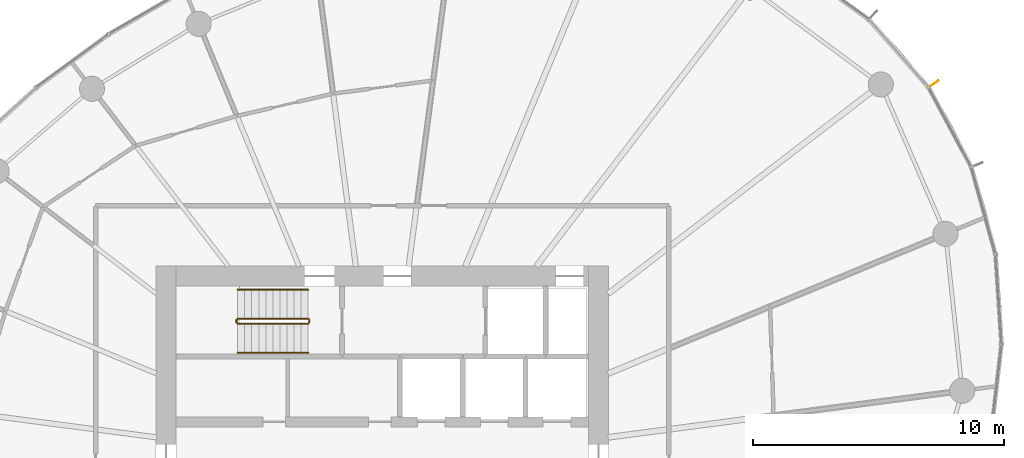
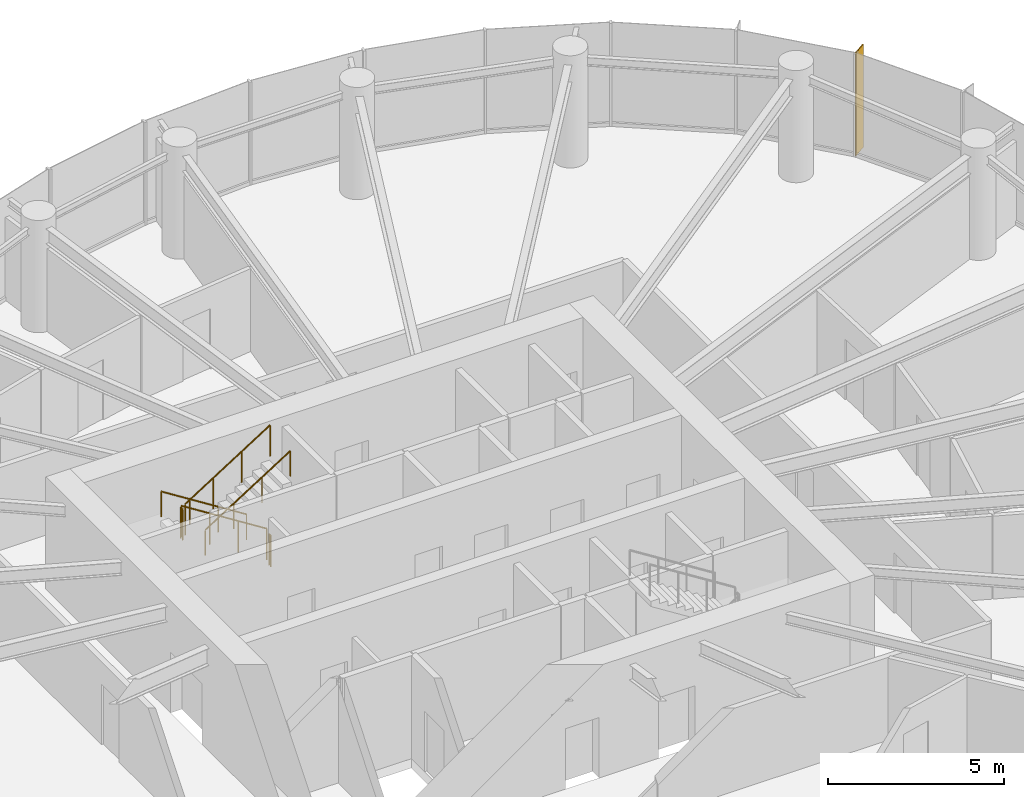
# One storey, part 13 of 14: 6 railings, 1 shading device.
"""IFC4 building model written with IfcOpenShell, lengths in metres."""

import ifcopenshell
import ifcopenshell.guid

model = None  # the IFC model being written
_history = None  # IfcOwnerHistory: only IFC2X3 demands one
_inside = {}  # id of a spatial element -> (the spatial element, [elements in it])
_under = {}  # id of a project, library or spatial element -> (it, [spatial elements below it])
_declared = {}  # id of a project -> (the project, [libraries it declares])
_typed = {}  # id of a type object -> (the type object, [elements of that type])
_made_of = {}  # id of a material, layer set ... -> (it, [elements and type objects made of it])


def new_model(schema):
    """Start an empty IFC model of exactly this schema.

    Asked for "IFC4X3", IfcOpenShell would pick the latest addendum, in which some entities
    have other attributes; the version numbers below select the first issue.
    IFC2X3 requires an IfcOwnerHistory on every rooted entity: one is made here for all.
    """
    global model, _history
    if schema == "IFC4X3":
        model = ifcopenshell.file(schema_version=(4, 3, 0, 0))
    else:
        model = ifcopenshell.file(schema=schema)
    _inside.clear()
    _under.clear()
    _declared.clear()
    _typed.clear()
    _made_of.clear()
    _history = None
    if model.schema == "IFC2X3":
        org = make("IfcOrganization", Name="unknown")
        user = make(
            "IfcPersonAndOrganization",
            ThePerson=make("IfcPerson", FamilyName="unknown"),
            TheOrganization=org,
        )
        app = make(
            "IfcApplication",
            ApplicationDeveloper=org,
            Version="unknown",
            ApplicationFullName="unknown",
            ApplicationIdentifier="unknown",
        )
        _history = make(
            "IfcOwnerHistory",
            OwningUser=user,
            OwningApplication=app,
            ChangeAction="ADDED",
            CreationDate=0,
        )
    return model


def make(cls, **values):
    """One entity of the class cls with the attributes given. An attribute that is None is left unset."""
    return model.create_entity(
        cls, **{name: value for name, value in values.items() if value is not None}
    )


def rooted(cls, **values):
    """An entity with a GlobalId (a new one), such as an element, a storey or a relation."""
    return make(cls, GlobalId=ifcopenshell.guid.new(), OwnerHistory=_history, **values)


def si_unit(unit_type, name, prefix=None):
    """IfcSIUnit, for example si_unit("LENGTHUNIT", "METRE", prefix="MILLI")."""
    return make("IfcSIUnit", UnitType=unit_type, Prefix=prefix, Name=name)


def assignment(units):
    """IfcUnitAssignment: the units of a project."""
    return None if units is None else make("IfcUnitAssignment", Units=units)


def point(xyz):
    """IfcCartesianPoint."""
    return None if xyz is None else make("IfcCartesianPoint", Coordinates=xyz)


def direction(xyz):
    """IfcDirection."""
    return None if xyz is None else make("IfcDirection", DirectionRatios=xyz)


def frame(location, z_axis=None, x_axis=None):
    """IfcAxis2Placement3D, a coordinate frame: its origin and axes. An axis left out is left unset."""
    return make(
        "IfcAxis2Placement3D",
        Location=point(location),
        Axis=direction(z_axis),
        RefDirection=direction(x_axis),
    )


def frame_2d(location, x_axis=None):
    """IfcAxis2Placement2D, a coordinate frame in the plane: its origin and x axis."""
    return make(
        "IfcAxis2Placement2D", Location=point(location), RefDirection=direction(x_axis)
    )


def origin():
    """The frame at (0, 0, 0) with its axes left unset."""
    return frame((0.0, 0.0, 0.0))


def origin_2d():
    """The frame at (0, 0) in the plane with its x axis left unset."""
    return frame_2d((0.0, 0.0))


def place(relative_to, where):
    """IfcLocalPlacement: puts the frame where relative to a parent placement (None: the world)."""
    return make(
        "IfcLocalPlacement", PlacementRelTo=relative_to, RelativePlacement=where
    )


def context(
    kind, dimensions, precision=None, world=None, true_north=None, identifier=None
):
    """IfcGeometricRepresentationContext, for example the 3D "Model" context."""
    return make(
        "IfcGeometricRepresentationContext",
        ContextIdentifier=identifier,
        ContextType=kind,
        CoordinateSpaceDimension=dimensions,
        Precision=precision,
        WorldCoordinateSystem=world,
        TrueNorth=true_north,
    )


def subcontext(parent, identifier, kind, view, scale=None):
    """IfcGeometricRepresentationSubContext, for example "Body" below "Model"."""
    return make(
        "IfcGeometricRepresentationSubContext",
        ContextIdentifier=identifier,
        ContextType=kind,
        ParentContext=parent,
        TargetScale=scale,
        TargetView=view,
    )


def project(units=None, contexts=None):
    """IfcProject with its units and contexts."""
    return rooted(
        "IfcProject",
        Name="project",
        RepresentationContexts=contexts,
        UnitsInContext=assignment(units),
    )


def spatial(cls, under=None, at=None, **own):
    """A site, building, storey or space (cls), placed at a placement, below another one or the project."""
    s = rooted(cls, ObjectPlacement=at, **own)
    if under is not None:
        _under.setdefault(under.id(), (under, []))[1].append(s)
    return s


def profile(cls, at=None, kind="AREA", **sizes):
    """A parametric profile (cls). Its sizes go by their IFC names, for example OverallWidth=200.0."""
    return make(cls, ProfileType=kind, Position=at, **sizes)


def rectangle(**sizes):
    """IfcRectangleProfileDef."""
    return profile("IfcRectangleProfileDef", **sizes)


def circle(**sizes):
    """IfcCircleProfileDef."""
    return profile("IfcCircleProfileDef", **sizes)


def extrude(swept, where, along, depth):
    """IfcExtrudedAreaSolid: the profile swept, set in the frame where, extruded along a direction by depth."""
    return make(
        "IfcExtrudedAreaSolid",
        SweptArea=swept,
        Position=where,
        ExtrudedDirection=direction(along),
        Depth=depth,
    )


def shape(context_of_items, identifier, shape_type, items):
    """IfcShapeRepresentation: the items that make up one representation, for example the "Body"."""
    return make(
        "IfcShapeRepresentation",
        ContextOfItems=context_of_items,
        RepresentationIdentifier=identifier,
        RepresentationType=shape_type,
        Items=items,
    )


def source(mapping_origin, context_of_items, identifier, shape_type, items):
    """IfcRepresentationMap: a shape defined once, which mapped items show again and again."""
    return make(
        "IfcRepresentationMap",
        MappingOrigin=mapping_origin,
        MappedRepresentation=shape(context_of_items, identifier, shape_type, items),
    )


def transform(
    local_origin,
    x_axis=None,
    y_axis=None,
    z_axis=None,
    scale=None,
    scale2=None,
    scale3=None,
    uniform=True,
):
    """IfcCartesianTransformationOperator3D, or its non-uniform kind. x_axis, y_axis, z_axis: its Axis1, 2, 3."""
    if uniform:
        return make(
            "IfcCartesianTransformationOperator3D",
            Axis1=direction(x_axis),
            Axis2=direction(y_axis),
            LocalOrigin=point(local_origin),
            Scale=scale,
            Axis3=direction(z_axis),
        )
    return make(
        "IfcCartesianTransformationOperator3DnonUniform",
        Axis1=direction(x_axis),
        Axis2=direction(y_axis),
        LocalOrigin=point(local_origin),
        Scale=scale,
        Axis3=direction(z_axis),
        Scale2=scale2,
        Scale3=scale3,
    )


def mapped(mapping_source, mapping_target):
    """IfcMappedItem: shows the shape of a source again, moved by a transform."""
    return make(
        "IfcMappedItem", MappingSource=mapping_source, MappingTarget=mapping_target
    )


def material(Name=None, Category=None):
    """IfcMaterial."""
    return make("IfcMaterial", Name=Name, Category=Category)


def material_profile(
    of_material, cross_section, Name=None, Category=None, Priority=None
):
    """IfcMaterialProfile: a cross section and its material."""
    return make(
        "IfcMaterialProfile",
        Name=Name,
        Material=of_material,
        Profile=cross_section,
        Priority=Priority,
        Category=Category,
    )


def profile_set(profiles, Name=None, composite=None):
    """IfcMaterialProfileSet."""
    return make(
        "IfcMaterialProfileSet",
        Name=Name,
        MaterialProfiles=profiles,
        CompositeProfile=composite,
    )


def made_of(thing, what):
    """Note that an element or type object is made of a material, layer set ...; save() writes the relation."""
    if what is not None:
        _made_of.setdefault(what.id(), (what, []))[1].append(thing)
    return thing


def type_object(cls, material=None, **own):
    """A type object (cls), such as IfcWallType, which elements share."""
    return made_of(rooted(cls, **own), material)


def element(
    cls,
    number,
    at=None,
    inside=None,
    cuts=None,
    type_object=None,
    material=None,
    context=None,
    identifier="Body",
    shape_type=None,
    held_by="IfcProductDefinitionShape",
    body=None,
    shapes=None,
    **own,
):
    """One element of the class cls, such as IfcWall. Its Tag is "e" and its number.

    at: its placement. inside: the storey or other place that contains it. cuts: it is an
    opening in that element (IfcRelVoidsElement). A single representation is given by context,
    identifier, shape_type and body (its items); several are given by shapes. held_by: the class
    of the entity that holds the representations. save() writes the other relations.
    """
    e = rooted(cls, Tag="e%d" % number, ObjectPlacement=at, **own)
    if body is not None:
        shapes = [shape(context, identifier, shape_type, body)]
    if shapes is not None:
        e.Representation = make(held_by, Representations=shapes)
    if inside is not None:
        _inside.setdefault(inside.id(), (inside, []))[1].append(e)
    if cuts is not None:
        rooted(
            "IfcRelVoidsElement", RelatingBuildingElement=cuts, RelatedOpeningElement=e
        )
    if type_object is not None:
        _typed.setdefault(type_object.id(), (type_object, []))[1].append(e)
    return made_of(e, material)


def aggregate(whole, parts):
    """IfcRelAggregates: a whole, such as a stair, and the parts it consists of."""
    return rooted("IfcRelAggregates", RelatingObject=whole, RelatedObjects=parts)


def save(model, path):
    """Write the relations noted so far, then the file.

    IfcRelAggregates (storeys below a building ...), IfcRelContainedInSpatialStructure (elements
    in a storey), IfcRelDefinesByType, IfcRelAssociatesMaterial and IfcRelDeclares: one each for
    every whole, place, type object, material and project.
    """
    for whole, parts in _under.values():
        aggregate(whole, parts)
    for where, things in _inside.values():
        rooted(
            "IfcRelContainedInSpatialStructure",
            RelatedElements=things,
            RelatingStructure=where,
        )
    for kind, things in _typed.values():
        rooted("IfcRelDefinesByType", RelatedObjects=things, RelatingType=kind)
    for what, things in _made_of.values():
        rooted("IfcRelAssociatesMaterial", RelatedObjects=things, RelatingMaterial=what)
    for by, libraries in _declared.values():
        rooted("IfcRelDeclares", RelatingContext=by, RelatedDefinitions=libraries)
    model.write(path)


model = new_model("IFC4")

# Units and contexts
model_context = context("Model", 3, precision=1e-05, world=origin(), true_north=direction((0.0, 1.0)))
body_context = subcontext(model_context, "Body", "Model", "MODEL_VIEW")
ifc_project = project(units=[si_unit("LENGTHUNIT", "METRE"), si_unit("AREAUNIT", "SQUARE_METRE"), si_unit("VOLUMEUNIT", "CUBIC_METRE"), si_unit("PLANEANGLEUNIT", "RADIAN"), si_unit("MASSUNIT", "GRAM", prefix="KILO")], contexts=[model_context])

# Site, building, storey
site_placement = place(None, origin())
site = spatial("IfcSite", under=ifc_project, at=site_placement, CompositionType="ELEMENT")
building_placement = place(site_placement, origin())
building = spatial("IfcBuilding", under=site, at=building_placement, Name="Spindrift Exchange Tower", CompositionType="ELEMENT")
storey_placement = place(building_placement, frame((0.0, 0.0, 156.5)))
storey = spatial("IfcBuildingStorey", under=building, at=storey_placement, Name="L37", CompositionType="ELEMENT", Elevation=156.5)

# Railings
ifc_material_1 = material(Name="Steel balustrade", Category="steel")
railing_type_1 = type_object("IfcRailingType", Name="RL-STAIR-GUARD", PredefinedType="GUARDRAIL", material=ifc_material_1)
railing_1_placement = place(storey_placement, frame((49.050048828125, 53.89990234375, 0.17724609375)))
element("IfcRailing", 1, at=railing_1_placement, inside=storey, type_object=railing_type_1, Name="L37 ST1 stair guard 1", PredefinedType="GUARDRAIL", context=body_context, shape_type="SweptSolid", body=[
    extrude(circle(Radius=0.02392578125, at=origin_2d()), frame((0.0, 0.0, 1.076171875), z_axis=(-0.844908973607, 0.0, 0.534910110503), x_axis=(0.0, -1.0, 0.0)), (0.0, 0.0, 1.0), 3.31396484375),
    extrude(circle(Radius=0.02099609375, at=origin_2d()), origin(), (0.0, 0.0, 1.0), 1.052001953125),
    extrude(circle(Radius=0.02099609375, at=origin_2d()), frame((-0.933349609375, 0.0, 0.5908203125)), (0.0, 0.0, 1.0), 1.052001953125),
    extrude(circle(Radius=0.02099609375, at=origin_2d()), frame((-1.86669921875, 0.0, 1.181884765625)), (0.0, 0.0, 1.0), 1.052001953125),
    extrude(circle(Radius=0.02099609375, at=origin_2d()), frame((-2.800048828125, 0.0, 1.772705078125)), (0.0, 0.0, 1.0), 1.052001953125),
])
railing_2_placement = place(storey_placement, frame((46.199951171875, 53.85009765625, 1.949951171875)))
element("IfcRailing", 2, at=railing_2_placement, inside=storey, type_object=railing_type_1, Name="L37 ST1 stair guard 2", PredefinedType="GUARDRAIL", context=body_context, shape_type="SweptSolid", body=[
    extrude(circle(Radius=0.02392578125, at=origin_2d()), frame((0.0, 0.0, 1.076171875), z_axis=(0.0, -1.0, 0.0), x_axis=(1.0, 0.0, 0.0)), (0.0, 0.0, 1.0), 0.10009765625),
    extrude(circle(Radius=0.02099609375, at=origin_2d()), origin(), (0.0, 0.0, 1.0), 1.052001953125),
    extrude(circle(Radius=0.02099609375, at=origin_2d()), frame((0.0, -0.10009765625, 0.0)), (0.0, 0.0, 1.0), 1.052001953125),
])
railing_3_placement = place(storey_placement, frame((46.25, 53.699951171875, 2.127197265625)))
element("IfcRailing", 3, at=railing_3_placement, inside=storey, type_object=railing_type_1, Name="L37 ST1 stair guard 3", PredefinedType="GUARDRAIL", context=body_context, shape_type="SweptSolid", body=[
    extrude(circle(Radius=0.02392578125, at=origin_2d()), frame((0.0, 0.0, 1.076171875), z_axis=(0.844908973607, 0.0, 0.534910110503), x_axis=(0.0, 1.0, 0.0)), (0.0, 0.0, 1.0), 3.31396484375),
    extrude(circle(Radius=0.02099609375, at=origin_2d()), origin(), (0.0, 0.0, 1.0), 1.052001953125),
    extrude(circle(Radius=0.02099609375, at=origin_2d()), frame((0.933349609375, 0.0, 0.5908203125)), (0.0, 0.0, 1.0), 1.052001953125),
    extrude(circle(Radius=0.02099609375, at=origin_2d()), frame((1.86669921875, 0.0, 1.181884765625)), (0.0, 0.0, 1.0), 1.052001953125),
    extrude(circle(Radius=0.02099609375, at=origin_2d()), frame((2.800048828125, 0.0, 1.772705078125)), (0.0, 0.0, 1.0), 1.052001953125),
])
railing_4_placement = place(storey_placement, frame((49.10009765625, 53.85009765625, 0.0)))
element("IfcRailing", 4, at=railing_4_placement, inside=storey, type_object=railing_type_1, Name="L37 ST1 stair guard 4", PredefinedType="GUARDRAIL", context=body_context, shape_type="SweptSolid", body=[
    extrude(circle(Radius=0.02392578125, at=origin_2d()), frame((0.0, 0.0, 1.076171875), z_axis=(0.0, -1.0, 0.0), x_axis=(1.0, 0.0, 0.0)), (0.0, 0.0, 1.0), 0.10009765625),
    extrude(circle(Radius=0.02099609375, at=origin_2d()), origin(), (0.0, 0.0, 1.0), 1.052001953125),
    extrude(circle(Radius=0.02099609375, at=origin_2d()), frame((0.0, -0.10009765625, 0.0)), (0.0, 0.0, 1.0), 1.052001953125),
])
ifc_material_2 = material(Name="Steel tubular handrail", Category="steel")
railing_type_2 = type_object("IfcRailingType", Name="RL-STAIR-HAND", PredefinedType="HANDRAIL", material=ifc_material_2)
railing_5_placement = place(storey_placement, frame((49.050048828125, 55.050048828125, 0.17724609375)))
element("IfcRailing", 5, at=railing_5_placement, inside=storey, type_object=railing_type_2, Name="L37 ST1 stair handrail 1", PredefinedType="HANDRAIL", context=body_context, shape_type="SweptSolid", body=[
    extrude(circle(Radius=0.02392578125, at=origin_2d()), frame((0.0, 0.0, 0.8759765625), z_axis=(-0.844908973607, 0.0, 0.534910110503), x_axis=(0.0, -1.0, 0.0)), (0.0, 0.0, 1.0), 3.31396484375),
    extrude(circle(Radius=0.02099609375, at=origin_2d()), origin(), (0.0, 0.0, 1.0), 0.851806640625),
    extrude(circle(Radius=0.02099609375, at=origin_2d()), frame((-0.933349609375, 0.0, 0.5908203125)), (0.0, 0.0, 1.0), 0.851806640625),
    extrude(circle(Radius=0.02099609375, at=origin_2d()), frame((-1.86669921875, 0.0, 1.181884765625)), (0.0, 0.0, 1.0), 0.851806640625),
    extrude(circle(Radius=0.02099609375, at=origin_2d()), frame((-2.800048828125, 0.0, 1.772705078125)), (0.0, 0.0, 1.0), 0.851806640625),
])
railing_6_placement = place(storey_placement, frame((46.25, 52.550048828125, 2.127197265625)))
element("IfcRailing", 6, at=railing_6_placement, inside=storey, type_object=railing_type_2, Name="L37 ST1 stair handrail 2", PredefinedType="HANDRAIL", context=body_context, shape_type="SweptSolid", body=[
    extrude(circle(Radius=0.02392578125, at=origin_2d()), frame((0.0, 0.0, 0.8759765625), z_axis=(0.844908973607, 0.0, 0.534910110503), x_axis=(0.0, 1.0, 0.0)), (0.0, 0.0, 1.0), 3.31396484375),
    extrude(circle(Radius=0.02099609375, at=origin_2d()), origin(), (0.0, 0.0, 1.0), 0.851806640625),
    extrude(circle(Radius=0.02099609375, at=origin_2d()), frame((0.933349609375, 0.0, 0.5908203125)), (0.0, 0.0, 1.0), 0.851806640625),
    extrude(circle(Radius=0.02099609375, at=origin_2d()), frame((1.86669921875, 0.0, 1.181884765625)), (0.0, 0.0, 1.0), 0.851806640625),
    extrude(circle(Radius=0.02099609375, at=origin_2d()), frame((2.800048828125, 0.0, 1.772705078125)), (0.0, 0.0, 1.0), 0.851806640625),
])

# Shading device
ifc_material_3 = material(Name="Bronze anodised aluminium", Category="aluminium")
ifc_material_profile = material_profile(ifc_material_3, rectangle(XDim=0.030029296875, YDim=0.5, at=origin_2d()), Name="WIND FIN 30X500")
ifc_profile_set = profile_set([ifc_material_profile], Name="Bronze anodised aluminium")
shading_device_type = type_object("IfcShadingDeviceType", Name="WIND FIN 30X500", PredefinedType="USERDEFINED", material=ifc_profile_set)
shared_shape = source(origin(), body_context, "Body", "SweptSolid", [
    extrude(rectangle(XDim=0.030029296875, YDim=0.5, at=origin_2d()), origin(), (0.0, 0.0, 1.0), 3.580078125),
])
shading_device_placement = place(storey_placement, frame((73.910888671875, 63.2255859375, 0.0), z_axis=(0.0, 0.0, 1.0), x_axis=(-0.570627574011, 0.821208969616, 0.0)))
element("IfcShadingDevice", 7, at=shading_device_placement, inside=storey, type_object=shading_device_type, Name="L37 wind fin 2", ObjectType="FIN", PredefinedType="USERDEFINED", context=body_context, shape_type="MappedRepresentation", body=[
    mapped(shared_shape, transform((0.0, 0.0, 0.0), scale=1.0)),
])

save(model, "model.ifc")
